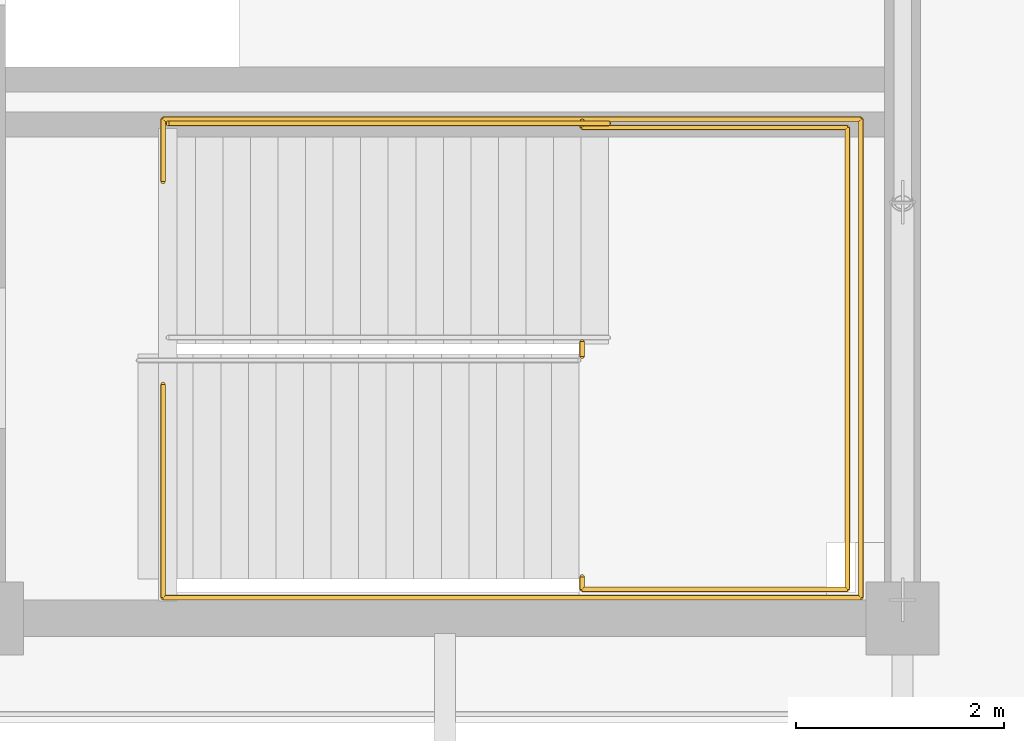
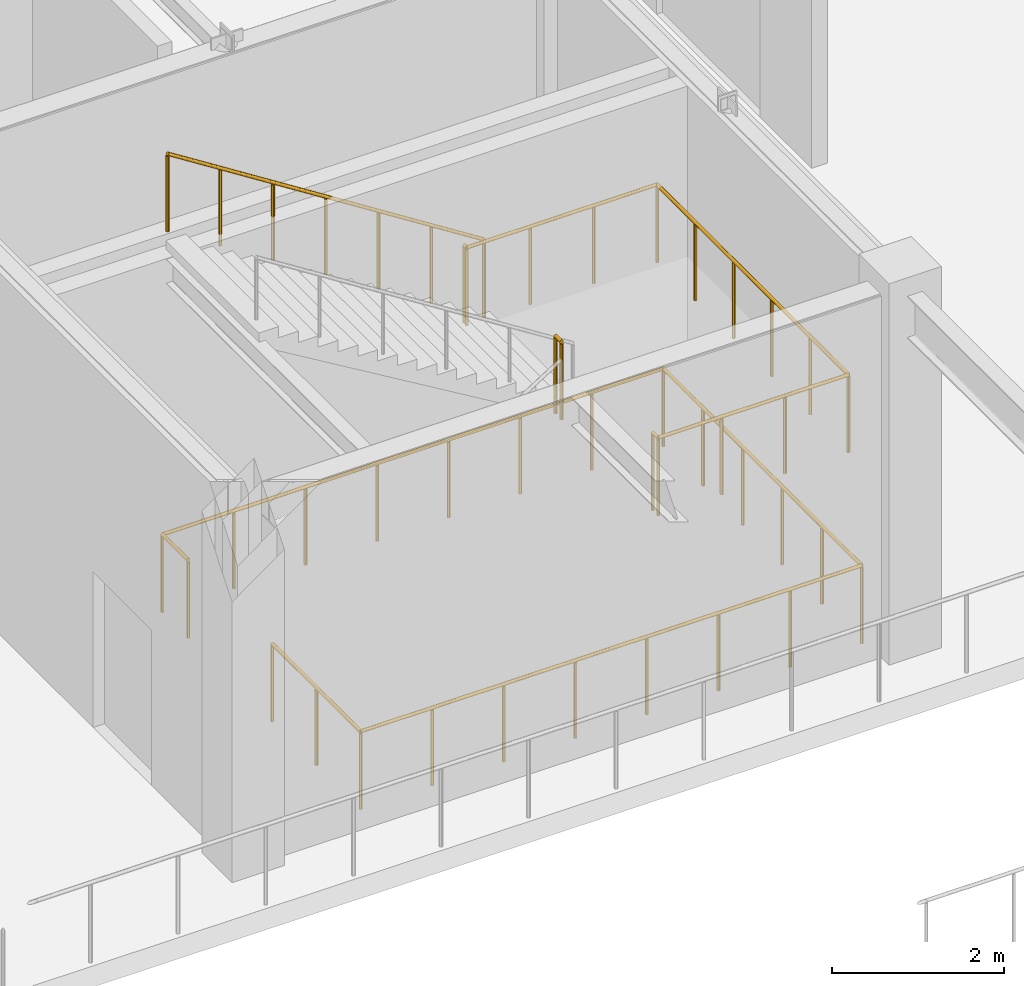
# One storey, part 102 of 119: 4 railings.
"""IFC4 building model written with IfcOpenShell, lengths in metres."""

from ifc_helpers import new_model, si_unit, direction, frame, origin, origin_2d, place, context, subcontext, project, spatial, circle, extrude, material, type_object, element, save


model = new_model("IFC4")

# Units and contexts
model_context = context("Model", 3, precision=1e-05, world=origin(), true_north=direction((0.0, 1.0)))
body_context = subcontext(model_context, "Body", "Model", "MODEL_VIEW")
ifc_project = project(units=[si_unit("LENGTHUNIT", "METRE"), si_unit("AREAUNIT", "SQUARE_METRE"), si_unit("VOLUMEUNIT", "CUBIC_METRE"), si_unit("PLANEANGLEUNIT", "RADIAN"), si_unit("MASSUNIT", "GRAM", prefix="KILO")], contexts=[model_context])

# Site, building, storey
site_placement = place(None, origin())
site = spatial("IfcSite", under=ifc_project, at=site_placement, CompositionType="ELEMENT")
building_placement = place(site_placement, origin())
building = spatial("IfcBuilding", under=site, at=building_placement, Name="Zhaolan Boulevard Law Courts", CompositionType="ELEMENT")
storey_placement = place(building_placement, origin())
storey = spatial("IfcBuildingStorey", under=building, at=storey_placement, Name="L00", CompositionType="ELEMENT", Elevation=0.0)

# Railings
ifc_material = material(Name="Powder-coated steel baluster guardrail", Category="steel")
railing_type = type_object("IfcRailingType", Name="STAIR WELL GUARDRAIL 1120", PredefinedType="GUARDRAIL", material=ifc_material)
railing_1_placement = place(storey_placement, frame((36.889892578125, 16.25, 0.0)))
element("IfcRailing", 1, at=railing_1_placement, inside=storey, type_object=railing_type, Name="Stair-Well Floor Guardrail WG-ST04-B1", PredefinedType="GUARDRAIL", context=body_context, shape_type="SweptSolid", body=[
    extrude(circle(Radius=0.02392578125, at=origin_2d()), frame((0.0, 0.0, 1.09619140625), z_axis=(0.0, -1.0, 0.0), x_axis=(1.0, 0.0, 0.0)), (0.0, 0.0, 1.0), 2.050048828125),
    extrude(circle(Radius=0.02392578125, at=origin_2d()), frame((0.0, -2.050048828125, 1.09619140625), z_axis=(1.0, 0.0, 0.0), x_axis=(0.0, 1.0, 0.0)), (0.0, 0.0, 1.0), 6.710205078125),
    extrude(circle(Radius=0.02392578125, at=origin_2d()), frame((6.710205078125, -2.050048828125, 1.09619140625), z_axis=(0.0, 1.0, 0.0), x_axis=(-1.0, 0.0, 0.0)), (0.0, 0.0, 1.0), 4.60009765625),
    extrude(circle(Radius=0.02392578125, at=origin_2d()), frame((6.710205078125, 2.550048828125, 1.09619140625), z_axis=(-1.0, 0.0, 0.0), x_axis=(0.0, -1.0, 0.0)), (0.0, 0.0, 1.0), 6.710205078125),
    extrude(circle(Radius=0.02392578125, at=origin_2d()), frame((0.0, 2.550048828125, 1.09619140625), z_axis=(0.0, -1.0, 0.0), x_axis=(1.0, 0.0, 0.0)), (0.0, 0.0, 1.0), 0.60009765625),
    extrude(circle(Radius=0.02099609375, at=origin_2d()), origin(), (0.0, 0.0, 1.0), 1.072021484375),
    extrude(circle(Radius=0.02099609375, at=origin_2d()), frame((0.0, -1.02490234375, 0.0)), (0.0, 0.0, 1.0), 1.072021484375),
    extrude(circle(Radius=0.02099609375, at=origin_2d()), frame((0.0, -2.050048828125, 0.0)), (0.0, 0.0, 1.0), 1.072021484375),
    extrude(circle(Radius=0.02099609375, at=origin_2d()), frame((0.95849609375, -2.050048828125, 0.0)), (0.0, 0.0, 1.0), 1.072021484375),
    extrude(circle(Radius=0.02099609375, at=origin_2d()), frame((1.917236328125, -2.050048828125, 0.0)), (0.0, 0.0, 1.0), 1.072021484375),
    extrude(circle(Radius=0.02099609375, at=origin_2d()), frame((2.875732421875, -2.050048828125, 0.0)), (0.0, 0.0, 1.0), 1.072021484375),
    extrude(circle(Radius=0.02099609375, at=origin_2d()), frame((3.83447265625, -2.050048828125, 0.0)), (0.0, 0.0, 1.0), 1.072021484375),
    extrude(circle(Radius=0.02099609375, at=origin_2d()), frame((4.79296875, -2.050048828125, 0.0)), (0.0, 0.0, 1.0), 1.072021484375),
    extrude(circle(Radius=0.02099609375, at=origin_2d()), frame((5.751708984375, -2.050048828125, 0.0)), (0.0, 0.0, 1.0), 1.072021484375),
    extrude(circle(Radius=0.02099609375, at=origin_2d()), frame((6.710205078125, -2.050048828125, 0.0)), (0.0, 0.0, 1.0), 1.072021484375),
    extrude(circle(Radius=0.02099609375, at=origin_2d()), frame((6.710205078125, -1.130126953125, 0.0)), (0.0, 0.0, 1.0), 1.072021484375),
    extrude(circle(Radius=0.02099609375, at=origin_2d()), frame((6.710205078125, -0.2099609375, 0.0)), (0.0, 0.0, 1.0), 1.072021484375),
    extrude(circle(Radius=0.02099609375, at=origin_2d()), frame((6.710205078125, 0.7099609375, 0.0)), (0.0, 0.0, 1.0), 1.072021484375),
    extrude(circle(Radius=0.02099609375, at=origin_2d()), frame((6.710205078125, 1.630126953125, 0.0)), (0.0, 0.0, 1.0), 1.072021484375),
    extrude(circle(Radius=0.02099609375, at=origin_2d()), frame((6.710205078125, 2.550048828125, 0.0)), (0.0, 0.0, 1.0), 1.072021484375),
    extrude(circle(Radius=0.02099609375, at=origin_2d()), frame((5.751708984375, 2.550048828125, 0.0)), (0.0, 0.0, 1.0), 1.072021484375),
    extrude(circle(Radius=0.02099609375, at=origin_2d()), frame((4.79296875, 2.550048828125, 0.0)), (0.0, 0.0, 1.0), 1.072021484375),
    extrude(circle(Radius=0.02099609375, at=origin_2d()), frame((3.83447265625, 2.550048828125, 0.0)), (0.0, 0.0, 1.0), 1.072021484375),
    extrude(circle(Radius=0.02099609375, at=origin_2d()), frame((2.875732421875, 2.550048828125, 0.0)), (0.0, 0.0, 1.0), 1.072021484375),
    extrude(circle(Radius=0.02099609375, at=origin_2d()), frame((1.917236328125, 2.550048828125, 0.0)), (0.0, 0.0, 1.0), 1.072021484375),
    extrude(circle(Radius=0.02099609375, at=origin_2d()), frame((0.95849609375, 2.550048828125, 0.0)), (0.0, 0.0, 1.0), 1.072021484375),
    extrude(circle(Radius=0.02099609375, at=origin_2d()), frame((0.0, 2.550048828125, 0.0)), (0.0, 0.0, 1.0), 1.072021484375),
    extrude(circle(Radius=0.02099609375, at=origin_2d()), frame((0.0, 1.949951171875, 0.0)), (0.0, 0.0, 1.0), 1.072021484375),
])
railing_2_placement = place(storey_placement, frame((40.919921875, 14.39990234375, 2.699951171875)))
element("IfcRailing", 2, at=railing_2_placement, inside=storey, type_object=railing_type, Name="Half-Landing Guardrail SG-ST04-L00-M", PredefinedType="GUARDRAIL", context=body_context, shape_type="SweptSolid", body=[
    extrude(circle(Radius=0.02392578125, at=origin_2d()), frame((0.0, 0.0, 1.09619140625), z_axis=(0.0, -1.0, 0.0), x_axis=(1.0, 0.0, 0.0)), (0.0, 0.0, 1.0), 0.119873046875),
    extrude(circle(Radius=0.02392578125, at=origin_2d()), frame((0.0, -0.119873046875, 1.09619140625), z_axis=(1.0, 0.0, 0.0), x_axis=(0.0, 1.0, 0.0)), (0.0, 0.0, 1.0), 2.550048828125),
    extrude(circle(Radius=0.02392578125, at=origin_2d()), frame((2.550048828125, -0.119873046875, 1.09619140625), z_axis=(0.0, 1.0, 0.0), x_axis=(-1.0, 0.0, 0.0)), (0.0, 0.0, 1.0), 4.43994140625),
    extrude(circle(Radius=0.02392578125, at=origin_2d()), frame((2.550048828125, 4.320068359375, 1.09619140625), z_axis=(-1.0, 0.0, 0.0), x_axis=(0.0, -1.0, 0.0)), (0.0, 0.0, 1.0), 2.550048828125),
    extrude(circle(Radius=0.02392578125, at=origin_2d()), frame((0.0, 4.320068359375, 1.09619140625), z_axis=(0.0, 1.0, 0.0), x_axis=(-1.0, 0.0, 0.0)), (0.0, 0.0, 1.0), 0.06005859375),
    extrude(circle(Radius=0.02099609375, at=origin_2d()), origin(), (0.0, 0.0, 1.0), 1.072021484375),
    extrude(circle(Radius=0.02099609375, at=origin_2d()), frame((0.0, -0.119873046875, 0.0)), (0.0, 0.0, 1.0), 1.072021484375),
    extrude(circle(Radius=0.02099609375, at=origin_2d()), frame((0.85009765625, -0.119873046875, 0.0)), (0.0, 0.0, 1.0), 1.072021484375),
    extrude(circle(Radius=0.02099609375, at=origin_2d()), frame((1.699951171875, -0.119873046875, 0.0)), (0.0, 0.0, 1.0), 1.072021484375),
    extrude(circle(Radius=0.02099609375, at=origin_2d()), frame((2.550048828125, -0.119873046875, 0.0)), (0.0, 0.0, 1.0), 1.072021484375),
    extrude(circle(Radius=0.02099609375, at=origin_2d()), frame((2.550048828125, 0.76806640625, 0.0)), (0.0, 0.0, 1.0), 1.072021484375),
    extrude(circle(Radius=0.02099609375, at=origin_2d()), frame((2.550048828125, 1.656005859375, 0.0)), (0.0, 0.0, 1.0), 1.072021484375),
    extrude(circle(Radius=0.02099609375, at=origin_2d()), frame((2.550048828125, 2.544189453125, 0.0)), (0.0, 0.0, 1.0), 1.072021484375),
    extrude(circle(Radius=0.02099609375, at=origin_2d()), frame((2.550048828125, 3.43212890625, 0.0)), (0.0, 0.0, 1.0), 1.072021484375),
    extrude(circle(Radius=0.02099609375, at=origin_2d()), frame((2.550048828125, 4.320068359375, 0.0)), (0.0, 0.0, 1.0), 1.072021484375),
    extrude(circle(Radius=0.02099609375, at=origin_2d()), frame((1.699951171875, 4.320068359375, 0.0)), (0.0, 0.0, 1.0), 1.072021484375),
    extrude(circle(Radius=0.02099609375, at=origin_2d()), frame((0.85009765625, 4.320068359375, 0.0)), (0.0, 0.0, 1.0), 1.072021484375),
    extrude(circle(Radius=0.02099609375, at=origin_2d()), frame((0.0, 4.320068359375, 0.0)), (0.0, 0.0, 1.0), 1.072021484375),
    extrude(circle(Radius=0.02099609375, at=origin_2d()), frame((0.0, 4.380126953125, 0.0)), (0.0, 0.0, 1.0), 1.072021484375),
])
railing_3_placement = place(storey_placement, frame((40.919921875, 16.52001953125, 2.699951171875)))
element("IfcRailing", 3, at=railing_3_placement, inside=storey, type_object=railing_type, Name="Half-Landing Well Guardrail SG-ST04-L00-W", PredefinedType="GUARDRAIL", context=body_context, shape_type="SweptSolid", body=[
    extrude(circle(Radius=0.02392578125, at=origin_2d()), frame((0.0, 0.0, 1.09619140625), z_axis=(0.0, 1.0, 0.0), x_axis=(-1.0, 0.0, 0.0)), (0.0, 0.0, 1.0), 0.139892578125),
    extrude(circle(Radius=0.02099609375, at=origin_2d()), origin(), (0.0, 0.0, 1.0), 1.072021484375),
    extrude(circle(Radius=0.02099609375, at=origin_2d()), frame((0.0, 0.139892578125, 0.0)), (0.0, 0.0, 1.0), 1.072021484375),
])
railing_4_placement = place(storey_placement, frame((41.175048828125, 18.760009765625, 2.699951171875)))
element("IfcRailing", 4, at=railing_4_placement, inside=storey, type_object=railing_type, Name="Flight Guardrail SG-ST04-L00-F2", PredefinedType="GUARDRAIL", context=body_context, shape_type="SweptSolid", body=[
    extrude(circle(Radius=0.02392578125, at=origin_2d()), frame((0.0, 0.0, 1.09619140625), z_axis=(-0.843501457581, 0.0, 0.537126885437), x_axis=(0.0, -1.0, 0.0)), (0.0, 0.0, 1.0), 5.026611328125),
    extrude(circle(Radius=0.02099609375, at=origin_2d()), origin(), (0.0, 0.0, 1.0), 1.072021484375),
    extrude(circle(Radius=0.02099609375, at=origin_2d()), frame((-0.70654296875, 0.0, 0.449951171875)), (0.0, 0.0, 1.0), 1.072021484375),
    extrude(circle(Radius=0.02099609375, at=origin_2d()), frame((-1.413330078125, 0.0, 0.89990234375)), (0.0, 0.0, 1.0), 1.072021484375),
    extrude(circle(Radius=0.02099609375, at=origin_2d()), frame((-2.1201171875, 0.0, 1.35009765625)), (0.0, 0.0, 1.0), 1.072021484375),
    extrude(circle(Radius=0.02099609375, at=origin_2d()), frame((-2.82666015625, 0.0, 1.800048828125)), (0.0, 0.0, 1.0), 1.072021484375),
    extrude(circle(Radius=0.02099609375, at=origin_2d()), frame((-3.533203125, 0.0, 2.25)), (0.0, 0.0, 1.0), 1.072021484375),
    extrude(circle(Radius=0.02099609375, at=origin_2d()), frame((-4.239990234375, 0.0, 2.699951171875)), (0.0, 0.0, 1.0), 1.072021484375),
])

save(model, "model.ifc")
